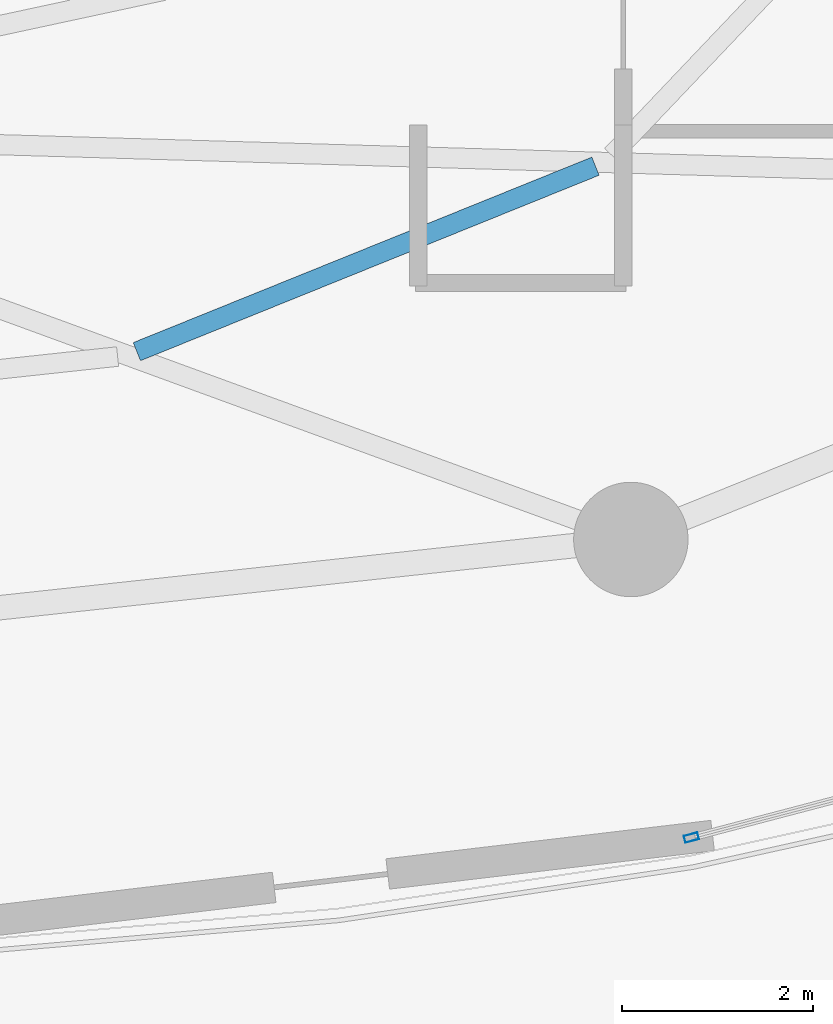
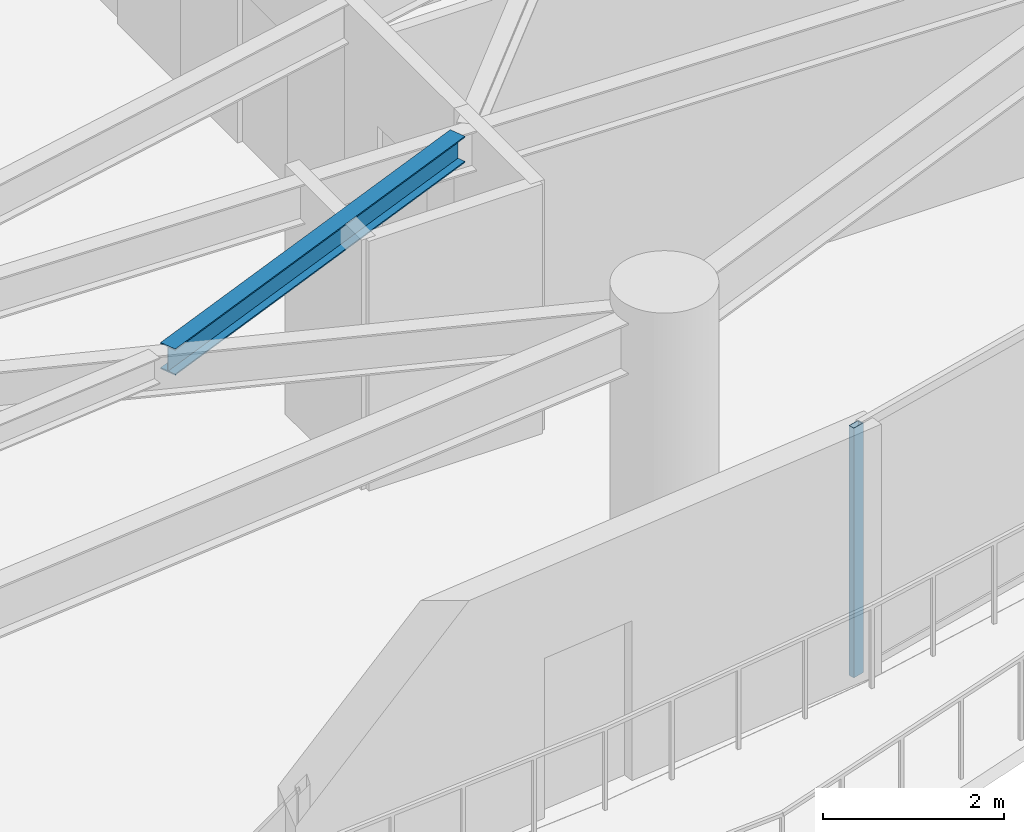
# One storey, part 12 of 33: 1 beam, 1 member, 1 element without a shape of its own.
"""IFC4 building model written with IfcOpenShell, lengths in metres."""

from ifc_helpers import new_model, si_unit, direction, frame, origin, origin_2d, place, context, subcontext, project, spatial, hollow_rectangle, i_section, extrude, material, layer, layer_set, material_profile, profile_set, type_object, element, aggregate, save


model = new_model("IFC4")

# Units and contexts
model_context = context("Model", 3, precision=1e-05, world=origin(), true_north=direction((0.0, 1.0)))
body_context = subcontext(model_context, "Body", "Model", "MODEL_VIEW")
ifc_project = project(units=[si_unit("LENGTHUNIT", "METRE"), si_unit("AREAUNIT", "SQUARE_METRE"), si_unit("VOLUMEUNIT", "CUBIC_METRE"), si_unit("PLANEANGLEUNIT", "RADIAN"), si_unit("MASSUNIT", "GRAM", prefix="KILO")], contexts=[model_context])

# Site, building, storey
site_placement = place(None, origin())
site = spatial("IfcSite", under=ifc_project, at=site_placement, CompositionType="ELEMENT")
building_placement = place(site_placement, origin())
building = spatial("IfcBuilding", under=site, at=building_placement, Name="Kazevale Care Tower and Concert Hall", CompositionType="ELEMENT")
storey_placement = place(building_placement, frame((0.0, 0.0, 145.800048828125)))
storey = spatial("IfcBuildingStorey", under=building, at=storey_placement, Name="L38", CompositionType="ELEMENT", Elevation=145.800048828125)

# Curtain wall, member
ifc_material_1 = material(Name="Aluminium 6063-T6 and Low-E Glass", Category="aluminium")
ifc_layer = layer(ifc_material_1, 0.179931640625)
ifc_layer_set = layer_set([ifc_layer], Name="Aluminium 6063-T6 and Low-E Glass")
curtain_wall_type = type_object("IfcCurtainWallType", Name="Sheltered Concave Balcony Curtain Wall CW-5", PredefinedType="NOTDEFINED", material=ifc_layer_set)
curtain_wall_placement = place(storey_placement, origin())
curtain_wall = element("IfcCurtainWall", 1, at=curtain_wall_placement, inside=storey, type_object=curtain_wall_type, Name="cw:L38:f04", PredefinedType="NOTDEFINED")
ifc_material_2 = material(Name="Aluminium 6063-T6", Category="aluminium")
ifc_material_profile_1 = material_profile(ifc_material_2, hollow_rectangle(XDim=0.074951171875, YDim=0.14990234375, WallThickness=0.00390625, at=origin_2d()), Name="ALU75x150x4")
ifc_profile_set_1 = profile_set([ifc_material_profile_1], Name="Aluminium 6063-T6")
member_type = type_object("IfcMemberType", Name="CW-5 Mullion ALU75x150x4", PredefinedType="MULLION", material=ifc_profile_set_1)
member_placement = place(storey_placement, frame((56.365234375, 16.18359375, 0.0), z_axis=(0.0, 0.0, 1.0), x_axis=(0.254238458229, -0.967141564797, 0.0)))
member = element("IfcMember", 2, at=member_placement, type_object=member_type, Name="CW-5 mullion 2", PredefinedType="MULLION", context=body_context, shape_type="SweptSolid", body=[
    extrude(hollow_rectangle(XDim=0.074951171875, YDim=0.14990234375, WallThickness=0.00390625, at=origin_2d()), origin(), (0.0, 0.0, 1.0), 3.35986328125),
])
aggregate(curtain_wall, [member])

# Beam
ifc_material_3 = material(Name="Steel ASTM A572 Gr 50", Category="steel")
ifc_material_profile_2 = material_profile(ifc_material_3, i_section(OverallWidth=0.205078125, OverallDepth=0.35400390625, WebThickness=0.009521484375, FlangeThickness=0.016845703125, at=origin_2d()), Name="W360x79")
ifc_profile_set_2 = profile_set([ifc_material_profile_2], Name="Steel ASTM A572 Gr 50")
beam_type = type_object("IfcBeamType", Name="Secondary Floor Joist W360x79", PredefinedType="JOIST", material=ifc_profile_set_2)
beam_placement = place(storey_placement, frame((50.549072265625, 21.280029296875, 3.182861328125), z_axis=(0.927064833216, 0.374901046964, 0.0), x_axis=(-0.374901046964, 0.927064833216, 0.0)))
element("IfcBeam", 3, at=beam_placement, inside=storey, type_object=beam_type, Name="beam:L38:joist:14", PredefinedType="JOIST", context=body_context, shape_type="SweptSolid", body=[
    extrude(i_section(OverallWidth=0.205078125, OverallDepth=0.35400390625, WebThickness=0.009521484375, FlangeThickness=0.016845703125, at=origin_2d()), origin(), (0.0, 0.0, 1.0), 5.188232421875),
])

save(model, "model.ifc")
